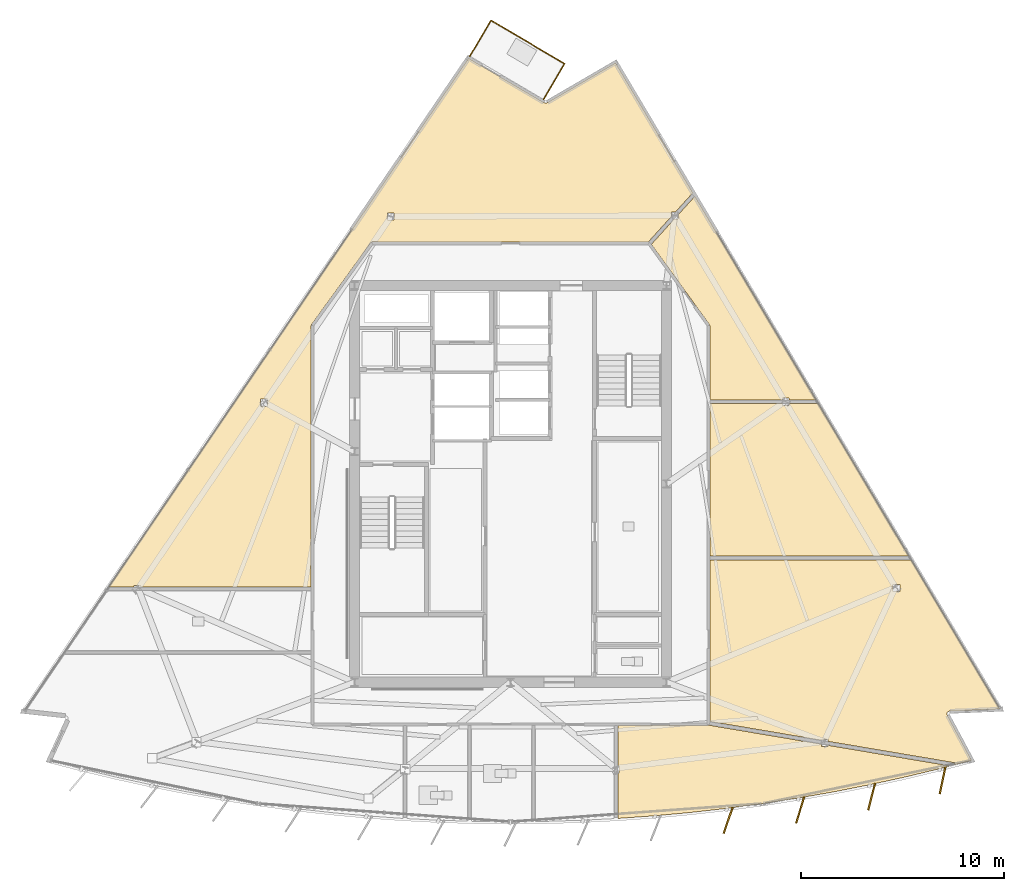
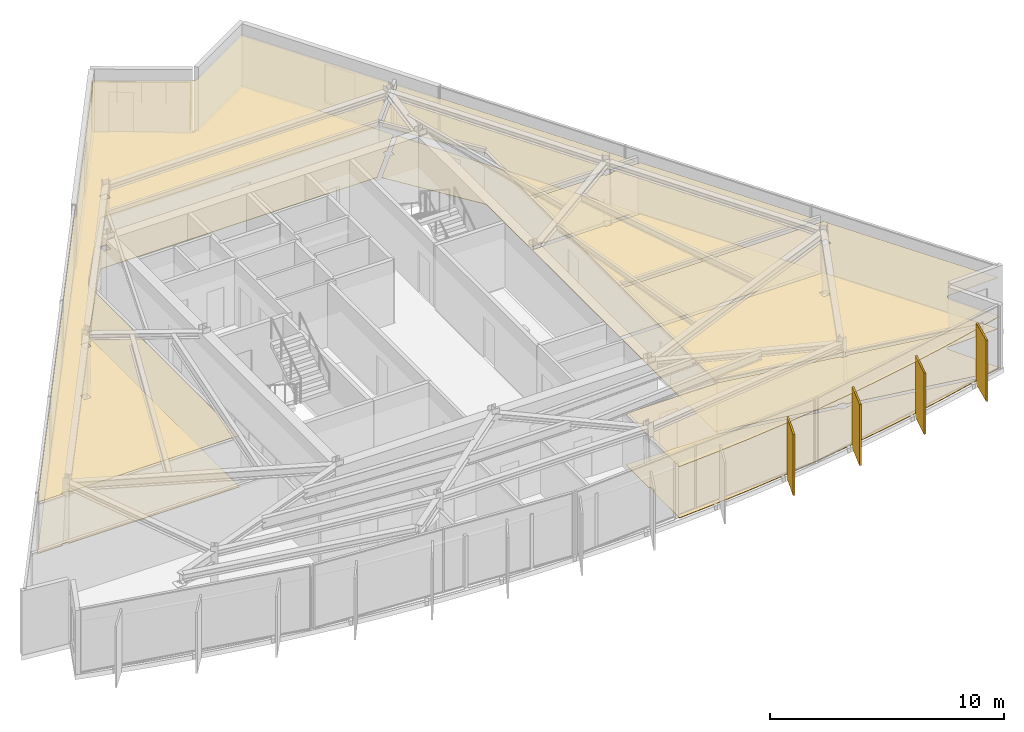
# One storey, part 11 of 12: 10 coverings, 4 shading devices, 3 railings.
"""IFC4 building model written with IfcOpenShell, lengths in metres."""

from ifc_helpers import new_model, si_unit, direction, frame, origin, origin_2d, place, context, subcontext, project, spatial, polyline, rectangle, circle, outline, extrude, material, layer, layer_set, type_object, element, save


model = new_model("IFC4")

# Units and contexts
model_context = context("Model", 3, precision=1e-05, world=origin(), true_north=direction((0.0, 1.0)))
body_context = subcontext(model_context, "Body", "Model", "MODEL_VIEW")
ifc_project = project(units=[si_unit("LENGTHUNIT", "METRE"), si_unit("AREAUNIT", "SQUARE_METRE"), si_unit("VOLUMEUNIT", "CUBIC_METRE"), si_unit("PLANEANGLEUNIT", "RADIAN"), si_unit("MASSUNIT", "GRAM", prefix="KILO")], contexts=[model_context])

# Site, building, storey
site_placement = place(None, origin())
site = spatial("IfcSite", under=ifc_project, at=site_placement, CompositionType="ELEMENT")
building_placement = place(site_placement, origin())
building = spatial("IfcBuilding", under=site, at=building_placement, Name="Savorim Split Tower", CompositionType="ELEMENT")
storey_placement = place(building_placement, frame((0.0, 0.0, 268.800048828125)))
storey = spatial("IfcBuildingStorey", under=building, at=storey_placement, Name="L71", CompositionType="ELEMENT", Elevation=268.800048828125)

# Coverings
ifc_material_1 = material(Name="Mineral Fibre Acoustic Ceiling")
ifc_layer_1 = layer(ifc_material_1, 0.02490234375)
ifc_layer_set_1 = layer_set([ifc_layer_1], Name="COV-CEIL-25")
covering_type_1 = type_object("IfcCoveringType", Name="COV-CEIL-25", PredefinedType="CEILING", material=ifc_layer_set_1)
covering_1_placement = place(storey_placement, frame((0.0, 0.0, 2.669921875)))
element("IfcCovering", 1, at=covering_1_placement, inside=storey, type_object=covering_type_1, Name="L71 Maker Workshop Acoustic Ceiling", PredefinedType="CEILING", context=body_context, shape_type="SweptSolid", body=[
    extrude(outline(polyline([(15.962646484375, -14.80908203125), (17.712890625, -14.464599609375), (19.45556640625, -14.084228515625), (21.18994140625, -13.668212890625), (21.71875, -13.530029296875), (15.68505859375, -12.510986328125), (15.68505859375, -12.56201171875), (15.35595703125, -12.56201171875), (15.35595703125, -12.45556640625), (9.8212890625, -11.52099609375), (9.78076171875, -11.51416015625), (9.77783203125, -11.516357421875), (9.76611328125, -11.5234375), (9.753662109375, -11.529296875), (9.740478515625, -11.533935546875), (9.727294921875, -11.537353515625), (9.713623046875, -11.539306640625), (9.699951171875, -11.5400390625), (5.296630859375, -11.5400390625), (5.296630859375, -13.536865234375), (5.3662109375, -13.536865234375), (5.3662109375, -13.88671875), (5.296630859375, -13.88671875), (5.296630859375, -16.076416015625), (5.296630859375, -16.12158203125), (5.34765625, -16.118896484375), (7.126953125, -15.991455078125), (8.90283203125, -15.827392578125), (10.67529296875, -15.626953125), (12.443359375, -15.390380859375), (14.2060546875, -15.117919921875), (15.962646484375, -14.80908203125)])), origin(), (0.0, 0.0, 1.0), 0.025146484375),
])
covering_2_placement = place(storey_placement, frame((0.0, 0.0, 2.669921875)))
element("IfcCovering", 2, at=covering_2_placement, inside=storey, type_object=covering_type_1, Name="L71 Co-Working Commons Acoustic Ceiling", PredefinedType="CEILING", context=body_context, shape_type="SweptSolid", body=[
    extrude(outline(polyline([(21.639404296875, -10.830810546875), (21.650634765625, -10.828857421875), (21.662109375, -10.82763671875), (24.16357421875, -10.72119140625), (19.780517578125, -3.350341796875), (9.840087890625, -3.350341796875), (9.840087890625, -11.331298828125), (15.35595703125, -12.262939453125), (15.35595703125, -12.2119140625), (15.68505859375, -12.2119140625), (15.68505859375, -12.318359375), (21.83837890625, -13.357421875), (21.93212890625, -13.373291015625), (21.914306640625, -13.47900390625), (22.769287109375, -13.25537109375), (21.5615234375, -11.00439453125), (21.556640625, -10.993896484375), (21.552734375, -10.983154296875), (21.5498046875, -10.971923828125), (21.548095703125, -10.96044921875), (21.54736328125, -10.948974609375), (21.547607421875, -10.9375), (21.54931640625, -10.926025390625), (21.552001953125, -10.914794921875), (21.5556640625, -10.90380859375), (21.560302734375, -10.893310546875), (21.56591796875, -10.88330078125), (21.57275390625, -10.873779296875), (21.580078125, -10.864990234375), (21.58837890625, -10.857177734375), (21.59765625, -10.849853515625), (21.607421875, -10.84375), (21.61767578125, -10.83837890625), (21.62841796875, -10.833984375), (21.639404296875, -10.830810546875)]), holes=[polyline([(19.2216796875, -4.921630859375), (19.2216796875, -4.571533203125), (18.892822265625, -4.571533203125), (18.892822265625, -4.921630859375), (19.2216796875, -4.921630859375)])]), origin(), (0.0, 0.0, 1.0), 0.025146484375),
])
covering_3_placement = place(storey_placement, frame((0.0, 0.0, 2.669921875)))
element("IfcCovering", 3, at=covering_3_placement, inside=storey, type_object=covering_type_1, Name="L71 Co-Working Commons Acoustic Ceiling", PredefinedType="CEILING", context=body_context, shape_type="SweptSolid", body=[
    extrude(outline(polyline([(13.423095703125, 4.277099609375), (13.423095703125, 4.35693359375), (9.840087890625, 4.35693359375), (9.840087890625, -3.160400390625), (19.66748046875, -3.160400390625), (15.177978515625, 4.39013671875), (15.177978515625, 4.35693359375), (13.752197265625, 4.35693359375), (13.752197265625, 4.277099609375), (13.423095703125, 4.277099609375)])), origin(), (0.0, 0.0, 1.0), 0.025146484375),
])
covering_4_placement = place(storey_placement, frame((0.0, 0.0, 2.669921875)))
element("IfcCovering", 4, at=covering_4_placement, inside=storey, type_object=covering_type_1, Name="L71 Quiet Study Room Acoustic Ceiling", PredefinedType="CEILING", context=body_context, shape_type="SweptSolid", body=[
    extrude(outline(polyline([(13.752197265625, 4.626953125), (13.752197265625, 4.547119140625), (15.0830078125, 4.547119140625), (15.084716796875, 4.547119140625), (9.106689453125, 14.600341796875), (8.282470703125, 13.69091796875), (8.282470703125, 13.4755859375), (8.087646484375, 13.4755859375), (6.96630859375, 12.238037109375), (6.95458984375, 12.22509765625), (9.813232421875, 8.2822265625), (9.8212890625, 8.27001953125), (9.827880859375, 8.2568359375), (9.833251953125, 8.2431640625), (9.8369140625, 8.22900390625), (9.839111328125, 8.214599609375), (9.840087890625, 8.199951171875), (9.840087890625, 4.547119140625), (13.423095703125, 4.547119140625), (13.423095703125, 4.626953125), (13.752197265625, 4.626953125)])), origin(), (0.0, 0.0, 1.0), 0.025146484375),
])
covering_5_placement = place(storey_placement, frame((0.0, 0.0, 2.669921875)))
element("IfcCovering", 5, at=covering_5_placement, inside=storey, type_object=covering_type_1, Name="L71 Co-Working Commons Acoustic Ceiling", PredefinedType="CEILING", context=body_context, shape_type="SweptSolid", body=[
    extrude(outline(polyline([(1.697265625, 19.2041015625), (1.6865234375, 19.20849609375), (1.676513671875, 19.213623046875), (-2.071533203125, 21.41650390625), (-19.83837890625, -4.700439453125), (-18.59619140625, -4.700439453125), (-18.59619140625, -4.620361328125), (-18.267333984375, -4.620361328125), (-18.267333984375, -4.700439453125), (-9.840087890625, -4.700439453125), (-9.840087890625, 8.199951171875), (-9.839111328125, 8.214599609375), (-9.8369140625, 8.22900390625), (-9.833251953125, 8.2431640625), (-9.827880859375, 8.2568359375), (-9.8212890625, 8.27001953125), (-9.813232421875, 8.2822265625), (-6.913330078125, 12.2822265625), (-6.905029296875, 12.29248046875), (-6.89599609375, 12.302001953125), (-6.885986328125, 12.310546875), (-6.875, 12.318115234375), (-6.863525390625, 12.32470703125), (-6.8515625, 12.330078125), (-6.839111328125, 12.33447265625), (-6.826416015625, 12.33740234375), (-6.813232421875, 12.33935546875), (-6.800048828125, 12.340087890625), (6.800048828125, 12.340087890625), (6.802001953125, 12.33984375), (7.95361328125, 13.610595703125), (7.95361328125, 13.82568359375), (8.1484375, 13.82568359375), (8.950439453125, 14.7109375), (9.005126953125, 14.771240234375), (5.188720703125, 21.189697265625), (1.797607421875, 19.21337890625), (1.787353515625, 19.208251953125), (1.776611328125, 19.203857421875), (1.765625, 19.20068359375), (1.75439453125, 19.198486328125), (1.742919921875, 19.197265625), (1.731201171875, 19.197265625), (1.7197265625, 19.198486328125), (1.70849609375, 19.20068359375), (1.697265625, 19.2041015625)]), holes=[polyline([(-5.751953125, 13.77685546875), (-6.0810546875, 13.77685546875), (-6.0810546875, 13.427001953125), (-5.751953125, 13.427001953125), (-5.751953125, 13.77685546875)]), polyline([(-12.338623046875, 4.578125), (-12.338623046875, 4.228271484375), (-12.009765625, 4.228271484375), (-12.009765625, 4.578125), (-12.338623046875, 4.578125)])]), origin(), (0.0, 0.0, 1.0), 0.025146484375),
])
ifc_material_2 = material(Name="Porcelain Stoneware Flooring", Category="masonry")
ifc_layer_2 = layer(ifc_material_2, 0.02001953125)
ifc_layer_set_2 = layer_set([ifc_layer_2], Name="COV-FLOR-20")
covering_type_2 = type_object("IfcCoveringType", Name="COV-FLOR-20", PredefinedType="FLOORING", material=ifc_layer_set_2)
covering_6_placement = place(storey_placement, origin())
element("IfcCovering", 6, at=covering_6_placement, inside=storey, type_object=covering_type_2, Name="L71 Maker Workshop Porcelain Flooring", PredefinedType="FLOORING", context=body_context, shape_type="SweptSolid", body=[
    extrude(outline(polyline([(15.962646484375, -14.80908203125), (17.712890625, -14.464599609375), (19.45556640625, -14.084228515625), (21.18994140625, -13.668212890625), (21.71875, -13.530029296875), (15.68505859375, -12.510986328125), (15.68505859375, -12.56201171875), (15.35595703125, -12.56201171875), (15.35595703125, -12.45556640625), (9.8212890625, -11.52099609375), (9.78076171875, -11.51416015625), (9.77783203125, -11.516357421875), (9.76611328125, -11.5234375), (9.753662109375, -11.529296875), (9.740478515625, -11.533935546875), (9.727294921875, -11.537353515625), (9.713623046875, -11.539306640625), (9.699951171875, -11.5400390625), (5.296630859375, -11.5400390625), (5.296630859375, -13.536865234375), (5.3662109375, -13.536865234375), (5.3662109375, -13.88671875), (5.296630859375, -13.88671875), (5.296630859375, -16.076416015625), (5.296630859375, -16.12158203125), (5.34765625, -16.118896484375), (7.126953125, -15.991455078125), (8.90283203125, -15.827392578125), (10.67529296875, -15.626953125), (12.443359375, -15.390380859375), (14.2060546875, -15.117919921875), (15.962646484375, -14.80908203125)])), origin(), (0.0, 0.0, 1.0), 0.02001953125),
])
covering_7_placement = place(storey_placement, origin())
element("IfcCovering", 7, at=covering_7_placement, inside=storey, type_object=covering_type_2, Name="L71 Co-Working Commons Porcelain Flooring", PredefinedType="FLOORING", context=body_context, shape_type="SweptSolid", body=[
    extrude(outline(polyline([(21.639404296875, -10.830810546875), (21.650634765625, -10.828857421875), (21.662109375, -10.82763671875), (24.16357421875, -10.72119140625), (19.780517578125, -3.350341796875), (9.840087890625, -3.350341796875), (9.840087890625, -11.331298828125), (15.35595703125, -12.262939453125), (15.35595703125, -12.2119140625), (15.68505859375, -12.2119140625), (15.68505859375, -12.318359375), (21.83837890625, -13.357421875), (21.93212890625, -13.373291015625), (21.914306640625, -13.47900390625), (22.769287109375, -13.25537109375), (21.5615234375, -11.00439453125), (21.556640625, -10.993896484375), (21.552734375, -10.983154296875), (21.5498046875, -10.971923828125), (21.548095703125, -10.96044921875), (21.54736328125, -10.948974609375), (21.547607421875, -10.9375), (21.54931640625, -10.926025390625), (21.552001953125, -10.914794921875), (21.5556640625, -10.90380859375), (21.560302734375, -10.893310546875), (21.56591796875, -10.88330078125), (21.57275390625, -10.873779296875), (21.580078125, -10.864990234375), (21.58837890625, -10.857177734375), (21.59765625, -10.849853515625), (21.607421875, -10.84375), (21.61767578125, -10.83837890625), (21.62841796875, -10.833984375), (21.639404296875, -10.830810546875)]), holes=[polyline([(19.2216796875, -4.921630859375), (19.2216796875, -4.571533203125), (18.892822265625, -4.571533203125), (18.892822265625, -4.921630859375), (19.2216796875, -4.921630859375)])]), origin(), (0.0, 0.0, 1.0), 0.02001953125),
])
covering_8_placement = place(storey_placement, origin())
element("IfcCovering", 8, at=covering_8_placement, inside=storey, type_object=covering_type_2, Name="L71 Co-Working Commons Porcelain Flooring", PredefinedType="FLOORING", context=body_context, shape_type="SweptSolid", body=[
    extrude(outline(polyline([(13.423095703125, 4.277099609375), (13.423095703125, 4.35693359375), (9.840087890625, 4.35693359375), (9.840087890625, -3.160400390625), (19.66748046875, -3.160400390625), (15.177978515625, 4.39013671875), (15.177978515625, 4.35693359375), (13.752197265625, 4.35693359375), (13.752197265625, 4.277099609375), (13.423095703125, 4.277099609375)])), origin(), (0.0, 0.0, 1.0), 0.02001953125),
])
covering_9_placement = place(storey_placement, origin())
element("IfcCovering", 9, at=covering_9_placement, inside=storey, type_object=covering_type_2, Name="L71 Quiet Study Room Porcelain Flooring", PredefinedType="FLOORING", context=body_context, shape_type="SweptSolid", body=[
    extrude(outline(polyline([(13.752197265625, 4.626953125), (13.752197265625, 4.547119140625), (15.0830078125, 4.547119140625), (15.084716796875, 4.547119140625), (9.106689453125, 14.600341796875), (8.282470703125, 13.69091796875), (8.282470703125, 13.4755859375), (8.087646484375, 13.4755859375), (6.96630859375, 12.238037109375), (6.95458984375, 12.22509765625), (9.813232421875, 8.2822265625), (9.8212890625, 8.27001953125), (9.827880859375, 8.2568359375), (9.833251953125, 8.2431640625), (9.8369140625, 8.22900390625), (9.839111328125, 8.214599609375), (9.840087890625, 8.199951171875), (9.840087890625, 4.547119140625), (13.423095703125, 4.547119140625), (13.423095703125, 4.626953125), (13.752197265625, 4.626953125)])), origin(), (0.0, 0.0, 1.0), 0.02001953125),
])
covering_10_placement = place(storey_placement, origin())
element("IfcCovering", 10, at=covering_10_placement, inside=storey, type_object=covering_type_2, Name="L71 Co-Working Commons Porcelain Flooring", PredefinedType="FLOORING", context=body_context, shape_type="SweptSolid", body=[
    extrude(outline(polyline([(1.697265625, 19.2041015625), (1.6865234375, 19.20849609375), (1.676513671875, 19.213623046875), (-2.071533203125, 21.41650390625), (-19.83837890625, -4.700439453125), (-18.59619140625, -4.700439453125), (-18.59619140625, -4.620361328125), (-18.267333984375, -4.620361328125), (-18.267333984375, -4.700439453125), (-9.840087890625, -4.700439453125), (-9.840087890625, 8.199951171875), (-9.839111328125, 8.214599609375), (-9.8369140625, 8.22900390625), (-9.833251953125, 8.2431640625), (-9.827880859375, 8.2568359375), (-9.8212890625, 8.27001953125), (-9.813232421875, 8.2822265625), (-6.913330078125, 12.2822265625), (-6.905029296875, 12.29248046875), (-6.89599609375, 12.302001953125), (-6.885986328125, 12.310546875), (-6.875, 12.318115234375), (-6.863525390625, 12.32470703125), (-6.8515625, 12.330078125), (-6.839111328125, 12.33447265625), (-6.826416015625, 12.33740234375), (-6.813232421875, 12.33935546875), (-6.800048828125, 12.340087890625), (6.800048828125, 12.340087890625), (6.802001953125, 12.33984375), (7.95361328125, 13.610595703125), (7.95361328125, 13.82568359375), (8.1484375, 13.82568359375), (8.950439453125, 14.7109375), (9.005126953125, 14.771240234375), (5.188720703125, 21.189697265625), (1.797607421875, 19.21337890625), (1.787353515625, 19.208251953125), (1.776611328125, 19.203857421875), (1.765625, 19.20068359375), (1.75439453125, 19.198486328125), (1.742919921875, 19.197265625), (1.731201171875, 19.197265625), (1.7197265625, 19.198486328125), (1.70849609375, 19.20068359375), (1.697265625, 19.2041015625)]), holes=[polyline([(-5.751953125, 13.77685546875), (-6.0810546875, 13.77685546875), (-6.0810546875, 13.427001953125), (-5.751953125, 13.427001953125), (-5.751953125, 13.77685546875)]), polyline([(-12.338623046875, 4.578125), (-12.338623046875, 4.228271484375), (-12.009765625, 4.228271484375), (-12.009765625, 4.578125), (-12.338623046875, 4.578125)])]), origin(), (0.0, 0.0, 1.0), 0.02001953125),
])

# Railings
ifc_material_3 = material(Name="Galvanised Painted Steel Balustrade", Category="steel")
railing_type = type_object("IfcRailingType", Name="RLG-BAL-1100", PredefinedType="BALUSTRADE", material=ifc_material_3)
railing_1_placement = place(storey_placement, frame((-2.004150390625, 21.51611328125, 0.0)))
element("IfcRailing", 11, at=railing_1_placement, inside=storey, type_object=railing_type, Name="L71 Tree Balcony Guardrail N-1", PredefinedType="BALUSTRADE", context=body_context, shape_type="SweptSolid", body=[
    extrude(circle(Radius=0.02392578125, at=origin_2d()), frame((0.0, 0.0, 1.076171875), z_axis=(0.506733850669, 0.862102548764, 0.0), x_axis=(-0.862102548764, 0.506733850669, 0.0)), (0.0, 0.0, 1.0), 2.050048828125),
    extrude(circle(Radius=0.02099609375, at=origin_2d()), origin(), (0.0, 0.0, 1.0), 1.052001953125),
    extrude(circle(Radius=0.02099609375, at=origin_2d()), frame((0.51953125, 0.8837890625, 0.0)), (0.0, 0.0, 1.0), 1.052001953125),
    extrude(circle(Radius=0.02099609375, at=origin_2d()), frame((1.038818359375, 1.767333984375, 0.0)), (0.0, 0.0, 1.0), 1.052001953125),
])
railing_2_placement = place(storey_placement, frame((-0.96533203125, 23.283447265625, 0.0)))
element("IfcRailing", 12, at=railing_2_placement, inside=storey, type_object=railing_type, Name="L71 Tree Balcony Guardrail N-2", PredefinedType="BALUSTRADE", context=body_context, shape_type="SweptSolid", body=[
    extrude(circle(Radius=0.02392578125, at=origin_2d()), frame((0.0, 0.0, 1.076171875), z_axis=(0.862129004769, -0.506688838575, 0.0), x_axis=(0.506688838575, 0.862129004769, 0.0)), (0.0, 0.0, 1.0), 4.219482421875),
    extrude(circle(Radius=0.02099609375, at=origin_2d()), origin(), (0.0, 0.0, 1.0), 1.052001953125),
    extrude(circle(Radius=0.02099609375, at=origin_2d()), frame((0.909423828125, -0.534423828125, 0.0)), (0.0, 0.0, 1.0), 1.052001953125),
    extrude(circle(Radius=0.02099609375, at=origin_2d()), frame((1.81884765625, -1.06884765625, 0.0)), (0.0, 0.0, 1.0), 1.052001953125),
    extrude(circle(Radius=0.02099609375, at=origin_2d()), frame((2.728271484375, -1.603515625, 0.0)), (0.0, 0.0, 1.0), 1.052001953125),
    extrude(circle(Radius=0.02099609375, at=origin_2d()), frame((3.6376953125, -2.137939453125, 0.0)), (0.0, 0.0, 1.0), 1.052001953125),
])
railing_3_placement = place(storey_placement, frame((2.67236328125, 21.1455078125, 0.0)))
element("IfcRailing", 13, at=railing_3_placement, inside=storey, type_object=railing_type, Name="L71 Tree Balcony Guardrail N-3", PredefinedType="BALUSTRADE", context=body_context, shape_type="SweptSolid", body=[
    extrude(circle(Radius=0.02392578125, at=origin_2d()), frame((0.0, 0.0, 1.076171875), z_axis=(-0.506593312838, -0.862185139856, 0.0), x_axis=(0.862185139856, -0.506593312838, 0.0)), (0.0, 0.0, 1.0), 2.050048828125),
    extrude(circle(Radius=0.02099609375, at=origin_2d()), origin(), (0.0, 0.0, 1.0), 1.052001953125),
    extrude(circle(Radius=0.02099609375, at=origin_2d()), frame((-0.519287109375, -0.8837890625, 0.0)), (0.0, 0.0, 1.0), 1.052001953125),
    extrude(circle(Radius=0.02099609375, at=origin_2d()), frame((-1.03857421875, -1.767578125, 0.0)), (0.0, 0.0, 1.0), 1.052001953125),
])

# Shading devices
ifc_material_4 = material(Name="Terracotta Ceramic-Coated Aluminium Fin", Category="masonry")
shading_device_type = type_object("IfcShadingDeviceType", Name="SHD-FIN-1360", PredefinedType="USERDEFINED", material=ifc_material_4)
for number, where, z_axis, x_axis, name in (
    (14, (10.748291015625, -16.218505859375, -0.2001953125), (0.0, 0.0, 1.0), (-0.324993810493, -0.945716143005, 0.0), "L71 Sawtooth Shading Fin 10"),
    (15, (14.302978515625, -15.705810546875, -0.2001953125), (0.0, 0.0, 1.0), (-0.286026212504, -0.958221793616, 0.0), "L71 Sawtooth Shading Fin 11"),
    (16, (17.833984375, -15.048095703125, -0.2001953125), (0.0, 0.0, 1.0), (-0.246581250663, -0.969122121727, 0.0), "L71 Sawtooth Shading Fin 12"),
    (17, (21.3349609375, -14.246337890625, -0.2001953125), (0.0, 0.0, 1.0), (-0.206721626106, -0.978399800337, 0.0), "L71 Sawtooth Shading Fin 13"),
):
    element("IfcShadingDevice", number, at=place(storey_placement, frame(where, z_axis=z_axis, x_axis=x_axis)), inside=storey, type_object=shading_device_type, Name=name, ObjectType="FIN", PredefinedType="USERDEFINED", context=body_context, shape_type="SweptSolid", body=[
        extrude(rectangle(XDim=1.360107421875, YDim=0.080078125, at=origin_2d()), origin(), (0.0, 0.0, 1.0), 3.199951171875),
    ])

save(model, "model.ifc")
